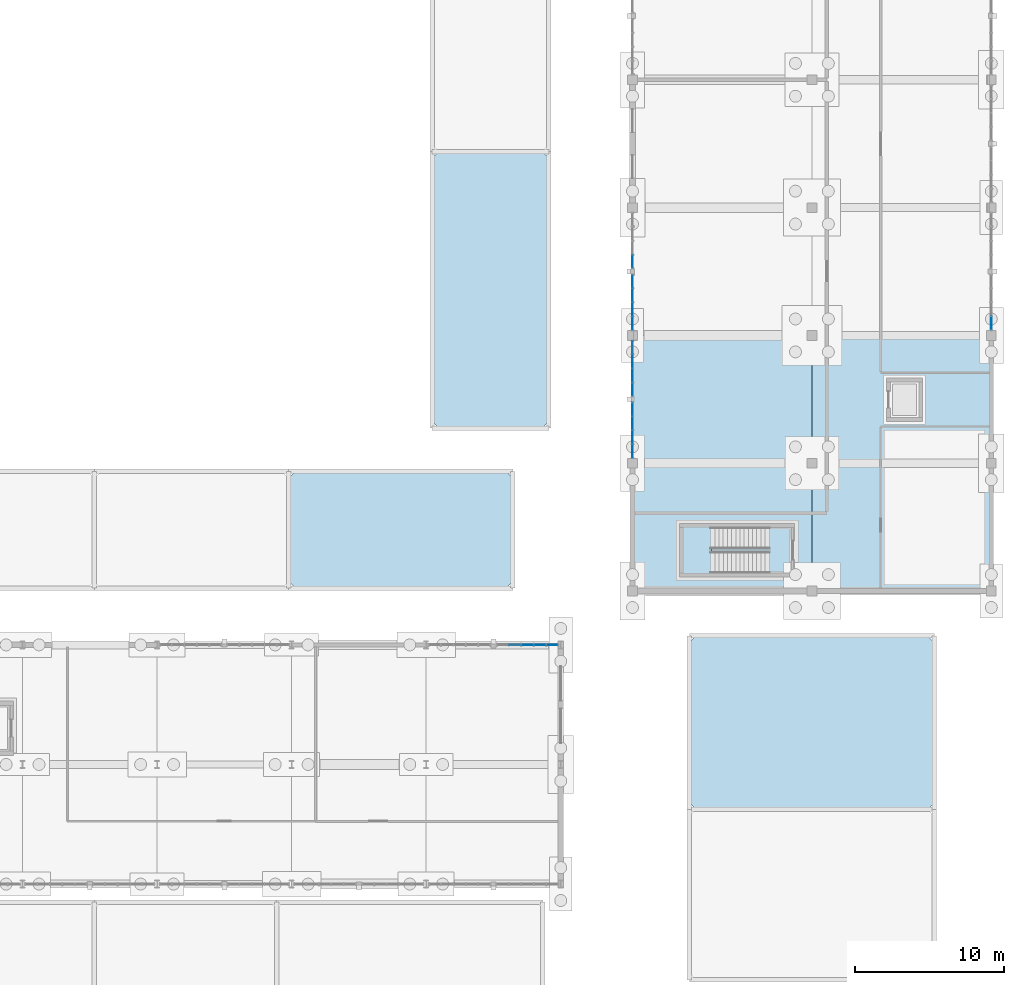
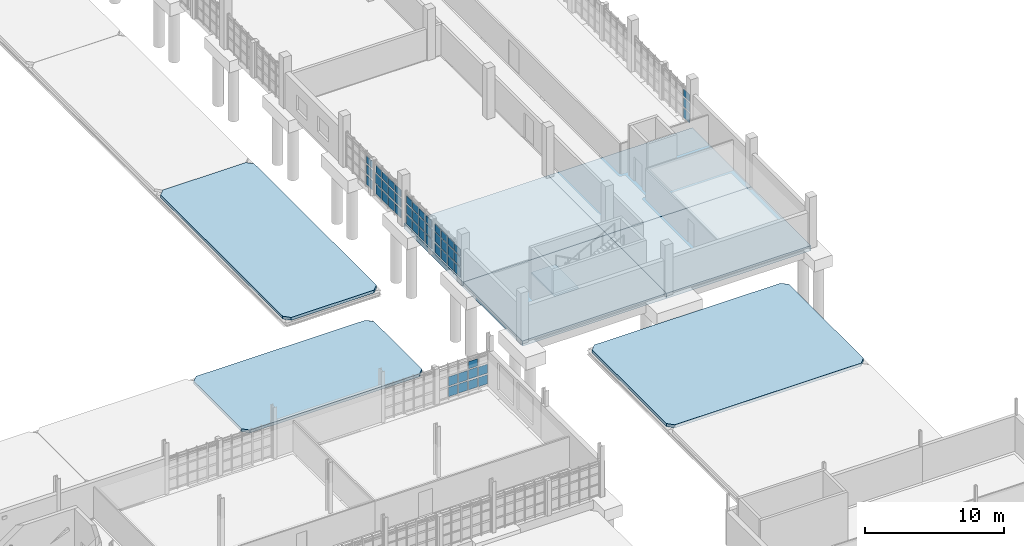
# One storey, part 90 of 125: 51 plates, 8 slabs, 7 elements without a shape of their own.
"""IFC4 building model written with IfcOpenShell, lengths in metres."""

from ifc_helpers import new_model, si_unit, direction, frame, origin, origin_2d, place, context, subcontext, project, spatial, polyline, rectangle, outline, extrude, material, layer, layer_set, type_object, element, aggregate, save


model = new_model("IFC4")

# Units and contexts
model_context = context("Model", 3, precision=1e-05, world=origin(), true_north=direction((0.0, 1.0)))
body_context = subcontext(model_context, "Body", "Model", "MODEL_VIEW")
ifc_project = project(units=[si_unit("LENGTHUNIT", "METRE"), si_unit("AREAUNIT", "SQUARE_METRE"), si_unit("VOLUMEUNIT", "CUBIC_METRE"), si_unit("PLANEANGLEUNIT", "RADIAN"), si_unit("MASSUNIT", "GRAM", prefix="KILO")], contexts=[model_context])

# Site, building, storey
site_placement = place(None, origin())
site = spatial("IfcSite", under=ifc_project, at=site_placement, CompositionType="ELEMENT")
building_placement = place(site_placement, origin())
building = spatial("IfcBuilding", under=site, at=building_placement, Name="Serraforn Aerial Cableway Station", CompositionType="ELEMENT")
storey_placement = place(building_placement, frame((0.0, 0.0, 4.5)))
storey = spatial("IfcBuildingStorey", under=building, at=storey_placement, Name="L01", CompositionType="ELEMENT", Elevation=4.5)

# Curtain wall, plate
ifc_material_1 = material(Name="Anodised bronze unitised curtain wall")
curtain_wall_type_1 = type_object("IfcCurtainWallType", Name="CW-SYS-3", PredefinedType="USERDEFINED", material=ifc_material_1)
curtain_wall_1_placement = place(storey_placement, origin())
curtain_wall_1 = element("IfcCurtainWall", 1, at=curtain_wall_1_placement, inside=storey, type_object=curtain_wall_type_1, Name="Unitised Curtain Wall CW-EG-L01-W2A", ObjectType="UNITISED CURTAIN WALL", PredefinedType="USERDEFINED")
ifc_material_2 = material(Name="Solar-control low-E double glazing", Category="glass")
ifc_layer_1 = layer(ifc_material_2, 0.02587890625)
ifc_layer_set_1 = layer_set([ifc_layer_1], Name="Solar-control low-E double glazing")
plate_type_1 = type_object("IfcPlateType", Name="CW-GLZ-1", PredefinedType="CURTAIN_PANEL", material=ifc_layer_set_1)
plate_1_placement = place(storey_placement, frame((144.0, 59.085205078125, 2.062255859375), z_axis=(0.0, 0.0, 1.0), x_axis=(1.0, 0.0, 0.0)))
plate_1 = element("IfcPlate", 2, at=plate_1_placement, type_object=plate_type_1, Name="Curtain Wall Panel CW-EG-L01-W2A-P4-3", PredefinedType="CURTAIN_PANEL", context=body_context, shape_type="SweptSolid", body=[
    extrude(rectangle(XDim=0.02587890625, YDim=0.8544921875, at=origin_2d()), origin(), (0.0, 0.0, 1.0), 0.6103515625),
])

# Curtain wall, plates
curtain_wall_type_2 = type_object("IfcCurtainWallType", Name="CW-SYS-4", PredefinedType="USERDEFINED", material=ifc_material_1)
curtain_wall_2_placement = place(storey_placement, origin())
curtain_wall_2 = element("IfcCurtainWall", 3, at=curtain_wall_2_placement, inside=storey, type_object=curtain_wall_type_2, Name="Unitised Curtain Wall CW-EG-L01-W2B", ObjectType="UNITISED CURTAIN WALL", PredefinedType="USERDEFINED")
plate_2_placement = place(storey_placement, frame((144.0, 55.882568359375, 2.062255859375), z_axis=(0.0, 0.0, 1.0), x_axis=(1.0, 0.0, 0.0)))
plate_2 = element("IfcPlate", 4, at=plate_2_placement, type_object=plate_type_1, Name="Curtain Wall Panel CW-EG-L01-W2B-P3-3", PredefinedType="CURTAIN_PANEL", context=body_context, shape_type="SweptSolid", body=[
    extrude(rectangle(XDim=0.02587890625, YDim=0.882080078125, at=origin_2d()), origin(), (0.0, 0.0, 1.0), 0.6103515625),
])
plate_3_placement = place(storey_placement, frame((144.0, 54.960693359375, 1.12646484375), z_axis=(0.0, 0.0, 1.0), x_axis=(1.0, 0.0, 0.0)))
plate_3 = element("IfcPlate", 5, at=plate_3_placement, type_object=plate_type_1, Name="Curtain Wall Panel CW-EG-L01-W2B-P4-2", PredefinedType="CURTAIN_PANEL", context=body_context, shape_type="SweptSolid", body=[
    extrude(rectangle(XDim=0.02587890625, YDim=0.859619140625, at=origin_2d()), origin(), (0.0, 0.0, 1.0), 0.797607421875),
])

# Curtain wall, plate
curtain_wall_type_3 = type_object("IfcCurtainWallType", Name="CW-SYS-5", PredefinedType="USERDEFINED", material=ifc_material_1)
curtain_wall_3_placement = place(storey_placement, origin())
curtain_wall_3 = element("IfcCurtainWall", 6, at=curtain_wall_3_placement, inside=storey, type_object=curtain_wall_type_3, Name="Unitised Curtain Wall CW-EG-L01-W3A", ObjectType="UNITISED CURTAIN WALL", PredefinedType="USERDEFINED")
plate_4_placement = place(storey_placement, frame((144.0, 67.64404296875, 0.1904296875), z_axis=(0.0, 0.0, 1.0), x_axis=(1.0, 0.0, 0.0)))
plate_4 = element("IfcPlate", 7, at=plate_4_placement, type_object=plate_type_1, Name="Curtain Wall Panel CW-EG-L01-W3A-P4-1", PredefinedType="CURTAIN_PANEL", context=body_context, shape_type="SweptSolid", body=[
    extrude(rectangle(XDim=0.02587890625, YDim=0.85205078125, at=origin_2d()), origin(), (0.0, 0.0, 1.0), 0.797607421875),
])

# Curtain wall, plates
curtain_wall_type_4 = type_object("IfcCurtainWallType", Name="CW-SYS-6", PredefinedType="USERDEFINED", material=ifc_material_1)
curtain_wall_4_placement = place(storey_placement, origin())
curtain_wall_4 = element("IfcCurtainWall", 8, at=curtain_wall_4_placement, inside=storey, type_object=curtain_wall_type_4, Name="Unitised Curtain Wall CW-EG-L01-W3B", ObjectType="UNITISED CURTAIN WALL", PredefinedType="USERDEFINED")
plate_5_placement = place(storey_placement, frame((144.0, 66.2998046875, 2.062255859375), z_axis=(0.0, 0.0, 1.0), x_axis=(1.0, 0.0, 0.0)))
plate_5 = element("IfcPlate", 9, at=plate_5_placement, type_object=plate_type_1, Name="Curtain Wall Panel CW-EG-L01-W3B-P1-3", PredefinedType="CURTAIN_PANEL", context=body_context, shape_type="SweptSolid", body=[
    extrude(rectangle(XDim=0.02587890625, YDim=0.844482421875, at=origin_2d()), origin(), (0.0, 0.0, 1.0), 0.6103515625),
])
plate_6_placement = place(storey_placement, frame((144.0, 65.381591796875, 1.12646484375), z_axis=(0.0, 0.0, 1.0), x_axis=(1.0, 0.0, 0.0)))
plate_6 = element("IfcPlate", 10, at=plate_6_placement, type_object=plate_type_1, Name="Curtain Wall Panel CW-EG-L01-W3B-P2-2", PredefinedType="CURTAIN_PANEL", context=body_context, shape_type="SweptSolid", body=[
    extrude(rectangle(XDim=0.02587890625, YDim=0.889404296875, at=origin_2d()), origin(), (0.0, 0.0, 1.0), 0.797607421875),
])
plate_7_placement = place(storey_placement, frame((144.0, 64.438720703125, 0.1904296875), z_axis=(0.0, 0.0, 1.0), x_axis=(1.0, 0.0, 0.0)))
plate_7 = element("IfcPlate", 11, at=plate_7_placement, type_object=plate_type_1, Name="Curtain Wall Panel CW-EG-L01-W3B-P3-1", PredefinedType="CURTAIN_PANEL", context=body_context, shape_type="SweptSolid", body=[
    extrude(rectangle(XDim=0.02587890625, YDim=0.884521484375, at=origin_2d()), origin(), (0.0, 0.0, 1.0), 0.797607421875),
])

# Curtain wall, plate
curtain_wall_type_5 = type_object("IfcCurtainWallType", Name="CW-SYS-7", PredefinedType="USERDEFINED", material=ifc_material_1)
curtain_wall_5_placement = place(storey_placement, origin())
curtain_wall_5 = element("IfcCurtainWall", 12, at=curtain_wall_5_placement, inside=storey, type_object=curtain_wall_type_5, Name="Unitised Curtain Wall CW-EG-L01-E3A", ObjectType="UNITISED CURTAIN WALL", PredefinedType="USERDEFINED")
plate_8_placement = place(storey_placement, frame((168.0, 63.507080078125, 1.12646484375), z_axis=(0.0, 0.0, 1.0), x_axis=(1.0, 0.0, 0.0)))
plate_8 = element("IfcPlate", 13, at=plate_8_placement, type_object=plate_type_1, Name="Curtain Wall Panel CW-EG-L01-E3A-P1-2", PredefinedType="CURTAIN_PANEL", context=body_context, shape_type="SweptSolid", body=[
    extrude(rectangle(XDim=0.02587890625, YDim=0.862060546875, at=origin_2d()), origin(), (0.0, 0.0, 1.0), 0.797607421875),
])

curtain_wall_type_6 = type_object("IfcCurtainWallType", Name="CW-SYS-21", PredefinedType="USERDEFINED", material=ifc_material_1)
curtain_wall_6_placement = place(storey_placement, origin())
curtain_wall_6 = element("IfcCurtainWall", 14, at=curtain_wall_6_placement, inside=storey, type_object=curtain_wall_type_6, Name="Unitised Curtain Wall CW-EL-L01-N5A", ObjectType="UNITISED CURTAIN WALL", PredefinedType="USERDEFINED")
ifc_layer_2 = layer(ifc_material_2, 0.028076171875)
ifc_layer_set_2 = layer_set([ifc_layer_2], Name="Solar-control low-E double glazing")
plate_type_2 = type_object("IfcPlateType", Name="CW-GLZ-2", PredefinedType="CURTAIN_PANEL", material=ifc_layer_set_2)
plate_9_placement = place(storey_placement, frame((138.62109375, 42.0, 0.1904296875), z_axis=(0.0, 0.0, 1.0), x_axis=(1.0, 0.0, 0.0)))
plate_9 = element("IfcPlate", 15, at=plate_9_placement, type_object=plate_type_2, Name="Curtain Wall Panel CW-EL-L01-N5A-P1-1", PredefinedType="CURTAIN_PANEL", context=body_context, shape_type="SweptSolid", body=[
    extrude(rectangle(XDim=0.745849609375, YDim=0.028076171875, at=origin_2d()), origin(), (0.0, 0.0, 1.0), 0.797607421875),
])

# Plate
plate_10_placement = place(storey_placement, frame((144.0, 54.960693359375, 2.06982421875), z_axis=(0.0, 0.0, 1.0), x_axis=(1.0, 0.0, 0.0)))
plate_10 = element("IfcPlate", 16, at=plate_10_placement, type_object=plate_type_2, Name="Curtain Wall Panel CW-EG-L01-W2B-P4-3", PredefinedType="CURTAIN_PANEL", context=body_context, shape_type="SweptSolid", body=[
    extrude(rectangle(XDim=0.028076171875, YDim=0.859619140625, at=origin_2d()), origin(), (0.0, 0.0, 1.0), 0.59521484375),
])

plate_11_placement = place(storey_placement, frame((144.0, 67.64404296875, 1.1337890625), z_axis=(0.0, 0.0, 1.0), x_axis=(1.0, 0.0, 0.0)))
plate_11 = element("IfcPlate", 17, at=plate_11_placement, type_object=plate_type_2, Name="Curtain Wall Panel CW-EG-L01-W3A-P4-2", PredefinedType="CURTAIN_PANEL", context=body_context, shape_type="SweptSolid", body=[
    extrude(rectangle(XDim=0.028076171875, YDim=0.85205078125, at=origin_2d()), origin(), (0.0, 0.0, 1.0), 0.782470703125),
])

plate_12_placement = place(storey_placement, frame((144.0, 65.381591796875, 2.06982421875), z_axis=(0.0, 0.0, 1.0), x_axis=(1.0, 0.0, 0.0)))
plate_12 = element("IfcPlate", 18, at=plate_12_placement, type_object=plate_type_2, Name="Curtain Wall Panel CW-EG-L01-W3B-P2-3", PredefinedType="CURTAIN_PANEL", context=body_context, shape_type="SweptSolid", body=[
    extrude(rectangle(XDim=0.028076171875, YDim=0.889404296875, at=origin_2d()), origin(), (0.0, 0.0, 1.0), 0.59521484375),
])

plate_13_placement = place(storey_placement, frame((144.0, 64.438720703125, 1.1337890625), z_axis=(0.0, 0.0, 1.0), x_axis=(1.0, 0.0, 0.0)))
plate_13 = element("IfcPlate", 19, at=plate_13_placement, type_object=plate_type_2, Name="Curtain Wall Panel CW-EG-L01-W3B-P3-2", PredefinedType="CURTAIN_PANEL", context=body_context, shape_type="SweptSolid", body=[
    extrude(rectangle(XDim=0.028076171875, YDim=0.884521484375, at=origin_2d()), origin(), (0.0, 0.0, 1.0), 0.782470703125),
])

plate_14_placement = place(storey_placement, frame((144.0, 63.51318359375, 0.19775390625), z_axis=(0.0, 0.0, 1.0), x_axis=(1.0, 0.0, 0.0)))
plate_14 = element("IfcPlate", 20, at=plate_14_placement, type_object=plate_type_2, Name="Curtain Wall Panel CW-EG-L01-W3B-P4-1", PredefinedType="CURTAIN_PANEL", context=body_context, shape_type="SweptSolid", body=[
    extrude(rectangle(XDim=0.028076171875, YDim=0.844482421875, at=origin_2d()), origin(), (0.0, 0.0, 1.0), 0.782470703125),
])

plate_15_placement = place(storey_placement, frame((168.0, 63.507080078125, 2.06982421875), z_axis=(0.0, 0.0, 1.0), x_axis=(1.0, 0.0, 0.0)))
plate_15 = element("IfcPlate", 21, at=plate_15_placement, type_object=plate_type_2, Name="Curtain Wall Panel CW-EG-L01-E3A-P1-3", PredefinedType="CURTAIN_PANEL", context=body_context, shape_type="SweptSolid", body=[
    extrude(rectangle(XDim=0.028076171875, YDim=0.862060546875, at=origin_2d()), origin(), (0.0, 0.0, 1.0), 0.59521484375),
])

ifc_layer_3 = layer(ifc_material_2, 0.030029296875)
ifc_layer_set_3 = layer_set([ifc_layer_3], Name="Solar-control low-E double glazing")
plate_type_3 = type_object("IfcPlateType", Name="CW-GLZ-3", PredefinedType="CURTAIN_PANEL", material=ifc_layer_set_3)
plate_16_placement = place(storey_placement, frame((138.62109375, 42.0, 1.1337890625), z_axis=(0.0, 0.0, 1.0), x_axis=(1.0, 0.0, 0.0)))
plate_16 = element("IfcPlate", 22, at=plate_16_placement, type_object=plate_type_3, Name="Curtain Wall Panel CW-EL-L01-N5A-P1-2", PredefinedType="CURTAIN_PANEL", context=body_context, shape_type="SweptSolid", body=[
    extrude(rectangle(XDim=0.745849609375, YDim=0.030029296875, at=origin_2d()), origin(), (0.0, 0.0, 1.0), 0.782470703125),
])

plate_17_placement = place(storey_placement, frame((137.801513671875, 42.0, 0.19775390625), z_axis=(0.0, 0.0, 1.0), x_axis=(1.0, 0.0, 0.0)))
plate_17 = element("IfcPlate", 23, at=plate_17_placement, type_object=plate_type_3, Name="Curtain Wall Panel CW-EL-L01-N5A-P2-1", PredefinedType="CURTAIN_PANEL", context=body_context, shape_type="SweptSolid", body=[
    extrude(rectangle(XDim=0.77099609375, YDim=0.030029296875, at=origin_2d()), origin(), (0.0, 0.0, 1.0), 0.782470703125),
])

plate_18_placement = place(storey_placement, frame((144.0, 67.64404296875, 2.077392578125), z_axis=(0.0, 0.0, 1.0), x_axis=(1.0, 0.0, 0.0)))
plate_18 = element("IfcPlate", 24, at=plate_18_placement, type_object=plate_type_3, Name="Curtain Wall Panel CW-EG-L01-W3A-P4-3", PredefinedType="CURTAIN_PANEL", context=body_context, shape_type="SweptSolid", body=[
    extrude(rectangle(XDim=0.030029296875, YDim=0.85205078125, at=origin_2d()), origin(), (0.0, 0.0, 1.0), 0.615234375),
])

aggregate(curtain_wall_3, [plate_4, plate_11, plate_18])

plate_19_placement = place(storey_placement, frame((144.0, 64.438720703125, 2.077392578125), z_axis=(0.0, 0.0, 1.0), x_axis=(1.0, 0.0, 0.0)))
plate_19 = element("IfcPlate", 25, at=plate_19_placement, type_object=plate_type_3, Name="Curtain Wall Panel CW-EG-L01-W3B-P3-3", PredefinedType="CURTAIN_PANEL", context=body_context, shape_type="SweptSolid", body=[
    extrude(rectangle(XDim=0.030029296875, YDim=0.884521484375, at=origin_2d()), origin(), (0.0, 0.0, 1.0), 0.615234375),
])

plate_20_placement = place(storey_placement, frame((144.0, 63.51318359375, 1.14111328125), z_axis=(0.0, 0.0, 1.0), x_axis=(1.0, 0.0, 0.0)))
plate_20 = element("IfcPlate", 26, at=plate_20_placement, type_object=plate_type_3, Name="Curtain Wall Panel CW-EG-L01-W3B-P4-2", PredefinedType="CURTAIN_PANEL", context=body_context, shape_type="SweptSolid", body=[
    extrude(rectangle(XDim=0.030029296875, YDim=0.844482421875, at=origin_2d()), origin(), (0.0, 0.0, 1.0), 0.802490234375),
])

ifc_layer_4 = layer(ifc_material_2, 0.031982421875)
ifc_layer_set_4 = layer_set([ifc_layer_4], Name="Solar-control low-E double glazing")
plate_type_4 = type_object("IfcPlateType", Name="CW-GLZ-4", PredefinedType="CURTAIN_PANEL", material=ifc_layer_set_4)
plate_21_placement = place(storey_placement, frame((137.801513671875, 42.0, 1.14111328125), z_axis=(0.0, 0.0, 1.0), x_axis=(1.0, 0.0, 0.0)))
plate_21 = element("IfcPlate", 27, at=plate_21_placement, type_object=plate_type_4, Name="Curtain Wall Panel CW-EL-L01-N5A-P2-2", PredefinedType="CURTAIN_PANEL", context=body_context, shape_type="SweptSolid", body=[
    extrude(rectangle(XDim=0.77099609375, YDim=0.031982421875, at=origin_2d()), origin(), (0.0, 0.0, 1.0), 0.802490234375),
])

plate_22_placement = place(storey_placement, frame((136.96728515625, 42.0, 0.20556640625), z_axis=(0.0, 0.0, 1.0), x_axis=(1.0, 0.0, 0.0)))
plate_22 = element("IfcPlate", 28, at=plate_22_placement, type_object=plate_type_4, Name="Curtain Wall Panel CW-EL-L01-N5A-P3-1", PredefinedType="CURTAIN_PANEL", context=body_context, shape_type="SweptSolid", body=[
    extrude(rectangle(XDim=0.765869140625, YDim=0.031982421875, at=origin_2d()), origin(), (0.0, 0.0, 1.0), 0.802490234375),
])

plate_23_placement = place(storey_placement, frame((144.0, 61.891845703125, 0.1904296875), z_axis=(0.0, 0.0, 1.0), x_axis=(1.0, 0.0, 0.0)))
plate_23 = element("IfcPlate", 29, at=plate_23_placement, type_object=plate_type_4, Name="Curtain Wall Panel CW-EG-L01-W2A-P1-1", PredefinedType="CURTAIN_PANEL", context=body_context, shape_type="SweptSolid", body=[
    extrude(rectangle(XDim=0.031982421875, YDim=0.8544921875, at=origin_2d()), origin(), (0.0, 0.0, 1.0), 0.797607421875),
])

plate_24_placement = place(storey_placement, frame((144.0, 63.51318359375, 2.0498046875), z_axis=(0.0, 0.0, 1.0), x_axis=(1.0, 0.0, 0.0)))
plate_24 = element("IfcPlate", 30, at=plate_24_placement, type_object=plate_type_4, Name="Curtain Wall Panel CW-EG-L01-W3B-P4-3", PredefinedType="CURTAIN_PANEL", context=body_context, shape_type="SweptSolid", body=[
    extrude(rectangle(XDim=0.031982421875, YDim=0.844482421875, at=origin_2d()), origin(), (0.0, 0.0, 1.0), 0.6376953125),
])

ifc_layer_5 = layer(ifc_material_2, 0.033935546875)
ifc_layer_set_5 = layer_set([ifc_layer_5], Name="Solar-control low-E double glazing")
plate_type_5 = type_object("IfcPlateType", Name="CW-GLZ-5", PredefinedType="CURTAIN_PANEL", material=ifc_layer_set_5)
plate_25_placement = place(storey_placement, frame((137.801513671875, 42.0, 2.0498046875), z_axis=(0.0, 0.0, 1.0), x_axis=(1.0, 0.0, 0.0)))
plate_25 = element("IfcPlate", 31, at=plate_25_placement, type_object=plate_type_5, Name="Curtain Wall Panel CW-EL-L01-N5A-P2-3", PredefinedType="CURTAIN_PANEL", context=body_context, shape_type="SweptSolid", body=[
    extrude(rectangle(XDim=0.77099609375, YDim=0.033935546875, at=origin_2d()), origin(), (0.0, 0.0, 1.0), 0.6376953125),
])

plate_26_placement = place(storey_placement, frame((136.96728515625, 42.0, 1.11376953125), z_axis=(0.0, 0.0, 1.0), x_axis=(1.0, 0.0, 0.0)))
plate_26 = element("IfcPlate", 32, at=plate_26_placement, type_object=plate_type_5, Name="Curtain Wall Panel CW-EL-L01-N5A-P3-2", PredefinedType="CURTAIN_PANEL", context=body_context, shape_type="SweptSolid", body=[
    extrude(rectangle(XDim=0.765869140625, YDim=0.033935546875, at=origin_2d()), origin(), (0.0, 0.0, 1.0), 0.824951171875),
])

plate_27_placement = place(storey_placement, frame((136.126708984375, 42.0, 0.177734375), z_axis=(0.0, 0.0, 1.0), x_axis=(1.0, 0.0, 0.0)))
plate_27 = element("IfcPlate", 33, at=plate_27_placement, type_object=plate_type_5, Name="Curtain Wall Panel CW-EL-L01-N5A-P4-1", PredefinedType="CURTAIN_PANEL", context=body_context, shape_type="SweptSolid", body=[
    extrude(rectangle(XDim=0.7734375, YDim=0.033935546875, at=origin_2d()), origin(), (0.0, 0.0, 1.0), 0.824951171875),
])

plate_28_placement = place(storey_placement, frame((144.0, 61.891845703125, 1.1337890625), z_axis=(0.0, 0.0, 1.0), x_axis=(1.0, 0.0, 0.0)))
plate_28 = element("IfcPlate", 34, at=plate_28_placement, type_object=plate_type_5, Name="Curtain Wall Panel CW-EG-L01-W2A-P1-2", PredefinedType="CURTAIN_PANEL", context=body_context, shape_type="SweptSolid", body=[
    extrude(rectangle(XDim=0.033935546875, YDim=0.8544921875, at=origin_2d()), origin(), (0.0, 0.0, 1.0), 0.782470703125),
])

plate_29_placement = place(storey_placement, frame((144.0, 60.963623046875, 0.19775390625), z_axis=(0.0, 0.0, 1.0), x_axis=(1.0, 0.0, 0.0)))
plate_29 = element("IfcPlate", 35, at=plate_29_placement, type_object=plate_type_5, Name="Curtain Wall Panel CW-EG-L01-W2A-P2-1", PredefinedType="CURTAIN_PANEL", context=body_context, shape_type="SweptSolid", body=[
    extrude(rectangle(XDim=0.033935546875, YDim=0.87939453125, at=origin_2d()), origin(), (0.0, 0.0, 1.0), 0.782470703125),
])

plate_30_placement = place(storey_placement, frame((144.0, 57.758544921875, 0.19775390625), z_axis=(0.0, 0.0, 1.0), x_axis=(1.0, 0.0, 0.0)))
plate_30 = element("IfcPlate", 36, at=plate_30_placement, type_object=plate_type_5, Name="Curtain Wall Panel CW-EG-L01-W2B-P1-1", PredefinedType="CURTAIN_PANEL", context=body_context, shape_type="SweptSolid", body=[
    extrude(rectangle(XDim=0.033935546875, YDim=0.846923828125, at=origin_2d()), origin(), (0.0, 0.0, 1.0), 0.782470703125),
])

ifc_layer_6 = layer(ifc_material_2, 0.035888671875)
ifc_layer_set_6 = layer_set([ifc_layer_6], Name="Solar-control low-E double glazing")
plate_type_6 = type_object("IfcPlateType", Name="CW-GLZ-6", PredefinedType="CURTAIN_PANEL", material=ifc_layer_set_6)
plate_31_placement = place(storey_placement, frame((136.126708984375, 42.0, 1.118896484375), z_axis=(0.0, 0.0, 1.0), x_axis=(1.0, 0.0, 0.0)))
plate_31 = element("IfcPlate", 37, at=plate_31_placement, type_object=plate_type_6, Name="Curtain Wall Panel CW-EL-L01-N5A-P4-2", PredefinedType="CURTAIN_PANEL", context=body_context, shape_type="SweptSolid", body=[
    extrude(rectangle(XDim=0.7734375, YDim=0.035888671875, at=origin_2d()), origin(), (0.0, 0.0, 1.0), 0.8125),
])

aggregate(curtain_wall_6, [plate_9, plate_16, plate_17, plate_21, plate_25, plate_22, plate_26, plate_27, plate_31])

plate_32_placement = place(storey_placement, frame((144.0, 61.891845703125, 2.077392578125), z_axis=(0.0, 0.0, 1.0), x_axis=(1.0, 0.0, 0.0)))
plate_32 = element("IfcPlate", 38, at=plate_32_placement, type_object=plate_type_6, Name="Curtain Wall Panel CW-EG-L01-W2A-P1-3", PredefinedType="CURTAIN_PANEL", context=body_context, shape_type="SweptSolid", body=[
    extrude(rectangle(XDim=0.035888671875, YDim=0.8544921875, at=origin_2d()), origin(), (0.0, 0.0, 1.0), 0.615234375),
])

plate_33_placement = place(storey_placement, frame((144.0, 60.963623046875, 1.14111328125), z_axis=(0.0, 0.0, 1.0), x_axis=(1.0, 0.0, 0.0)))
plate_33 = element("IfcPlate", 39, at=plate_33_placement, type_object=plate_type_6, Name="Curtain Wall Panel CW-EG-L01-W2A-P2-2", PredefinedType="CURTAIN_PANEL", context=body_context, shape_type="SweptSolid", body=[
    extrude(rectangle(XDim=0.035888671875, YDim=0.87939453125, at=origin_2d()), origin(), (0.0, 0.0, 1.0), 0.802490234375),
])

plate_34_placement = place(storey_placement, frame((144.0, 60.020751953125, 0.20556640625), z_axis=(0.0, 0.0, 1.0), x_axis=(1.0, 0.0, 0.0)))
plate_34 = element("IfcPlate", 40, at=plate_34_placement, type_object=plate_type_6, Name="Curtain Wall Panel CW-EG-L01-W2A-P3-1", PredefinedType="CURTAIN_PANEL", context=body_context, shape_type="SweptSolid", body=[
    extrude(rectangle(XDim=0.035888671875, YDim=0.87451171875, at=origin_2d()), origin(), (0.0, 0.0, 1.0), 0.802490234375),
])

plate_35_placement = place(storey_placement, frame((144.0, 57.758544921875, 1.14111328125), z_axis=(0.0, 0.0, 1.0), x_axis=(1.0, 0.0, 0.0)))
plate_35 = element("IfcPlate", 41, at=plate_35_placement, type_object=plate_type_6, Name="Curtain Wall Panel CW-EG-L01-W2B-P1-2", PredefinedType="CURTAIN_PANEL", context=body_context, shape_type="SweptSolid", body=[
    extrude(rectangle(XDim=0.035888671875, YDim=0.846923828125, at=origin_2d()), origin(), (0.0, 0.0, 1.0), 0.802490234375),
])

plate_36_placement = place(storey_placement, frame((144.0, 56.831787109375, 0.20556640625), z_axis=(0.0, 0.0, 1.0), x_axis=(1.0, 0.0, 0.0)))
plate_36 = element("IfcPlate", 42, at=plate_36_placement, type_object=plate_type_6, Name="Curtain Wall Panel CW-EG-L01-W2B-P2-1", PredefinedType="CURTAIN_PANEL", context=body_context, shape_type="SweptSolid", body=[
    extrude(rectangle(XDim=0.035888671875, YDim=0.87451171875, at=origin_2d()), origin(), (0.0, 0.0, 1.0), 0.802490234375),
])

ifc_layer_7 = layer(ifc_material_2, 0.029052734375)
ifc_layer_set_7 = layer_set([ifc_layer_7], Name="Solar-control low-E double glazing")
plate_type_7 = type_object("IfcPlateType", Name="CW-GLZ-7", PredefinedType="CURTAIN_PANEL", material=ifc_layer_set_7)
plate_37_placement = place(storey_placement, frame((144.0, 60.963623046875, 2.0498046875), z_axis=(0.0, 0.0, 1.0), x_axis=(1.0, 0.0, 0.0)))
plate_37 = element("IfcPlate", 43, at=plate_37_placement, type_object=plate_type_7, Name="Curtain Wall Panel CW-EG-L01-W2A-P2-3", PredefinedType="CURTAIN_PANEL", context=body_context, shape_type="SweptSolid", body=[
    extrude(rectangle(XDim=0.029052734375, YDim=0.87939453125, at=origin_2d()), origin(), (0.0, 0.0, 1.0), 0.6376953125),
])

plate_38_placement = place(storey_placement, frame((144.0, 60.020751953125, 1.11376953125), z_axis=(0.0, 0.0, 1.0), x_axis=(1.0, 0.0, 0.0)))
plate_38 = element("IfcPlate", 44, at=plate_38_placement, type_object=plate_type_7, Name="Curtain Wall Panel CW-EG-L01-W2A-P3-2", PredefinedType="CURTAIN_PANEL", context=body_context, shape_type="SweptSolid", body=[
    extrude(rectangle(XDim=0.029052734375, YDim=0.87451171875, at=origin_2d()), origin(), (0.0, 0.0, 1.0), 0.824951171875),
])

plate_39_placement = place(storey_placement, frame((144.0, 59.085205078125, 0.177734375), z_axis=(0.0, 0.0, 1.0), x_axis=(1.0, 0.0, 0.0)))
plate_39 = element("IfcPlate", 45, at=plate_39_placement, type_object=plate_type_7, Name="Curtain Wall Panel CW-EG-L01-W2A-P4-1", PredefinedType="CURTAIN_PANEL", context=body_context, shape_type="SweptSolid", body=[
    extrude(rectangle(XDim=0.029052734375, YDim=0.8544921875, at=origin_2d()), origin(), (0.0, 0.0, 1.0), 0.824951171875),
])

plate_40_placement = place(storey_placement, frame((144.0, 57.758544921875, 2.0498046875), z_axis=(0.0, 0.0, 1.0), x_axis=(1.0, 0.0, 0.0)))
plate_40 = element("IfcPlate", 46, at=plate_40_placement, type_object=plate_type_7, Name="Curtain Wall Panel CW-EG-L01-W2B-P1-3", PredefinedType="CURTAIN_PANEL", context=body_context, shape_type="SweptSolid", body=[
    extrude(rectangle(XDim=0.029052734375, YDim=0.846923828125, at=origin_2d()), origin(), (0.0, 0.0, 1.0), 0.6376953125),
])

plate_41_placement = place(storey_placement, frame((144.0, 56.831787109375, 1.11376953125), z_axis=(0.0, 0.0, 1.0), x_axis=(1.0, 0.0, 0.0)))
plate_41 = element("IfcPlate", 47, at=plate_41_placement, type_object=plate_type_7, Name="Curtain Wall Panel CW-EG-L01-W2B-P2-2", PredefinedType="CURTAIN_PANEL", context=body_context, shape_type="SweptSolid", body=[
    extrude(rectangle(XDim=0.029052734375, YDim=0.87451171875, at=origin_2d()), origin(), (0.0, 0.0, 1.0), 0.824951171875),
])

plate_42_placement = place(storey_placement, frame((144.0, 55.882568359375, 0.177734375), z_axis=(0.0, 0.0, 1.0), x_axis=(1.0, 0.0, 0.0)))
plate_42 = element("IfcPlate", 48, at=plate_42_placement, type_object=plate_type_7, Name="Curtain Wall Panel CW-EG-L01-W2B-P3-1", PredefinedType="CURTAIN_PANEL", context=body_context, shape_type="SweptSolid", body=[
    extrude(rectangle(XDim=0.029052734375, YDim=0.882080078125, at=origin_2d()), origin(), (0.0, 0.0, 1.0), 0.824951171875),
])

plate_43_placement = place(storey_placement, frame((144.0, 66.2998046875, 0.177734375), z_axis=(0.0, 0.0, 1.0), x_axis=(1.0, 0.0, 0.0)))
plate_43 = element("IfcPlate", 49, at=plate_43_placement, type_object=plate_type_7, Name="Curtain Wall Panel CW-EG-L01-W3B-P1-1", PredefinedType="CURTAIN_PANEL", context=body_context, shape_type="SweptSolid", body=[
    extrude(rectangle(XDim=0.029052734375, YDim=0.844482421875, at=origin_2d()), origin(), (0.0, 0.0, 1.0), 0.824951171875),
])

ifc_layer_8 = layer(ifc_material_2, 0.031005859375)
ifc_layer_set_8 = layer_set([ifc_layer_8], Name="Solar-control low-E double glazing")
plate_type_8 = type_object("IfcPlateType", Name="CW-GLZ-8", PredefinedType="CURTAIN_PANEL", material=ifc_layer_set_8)
plate_44_placement = place(storey_placement, frame((144.0, 60.020751953125, 2.0546875), z_axis=(0.0, 0.0, 1.0), x_axis=(1.0, 0.0, 0.0)))
plate_44 = element("IfcPlate", 50, at=plate_44_placement, type_object=plate_type_8, Name="Curtain Wall Panel CW-EG-L01-W2A-P3-3", PredefinedType="CURTAIN_PANEL", context=body_context, shape_type="SweptSolid", body=[
    extrude(rectangle(XDim=0.031005859375, YDim=0.87451171875, at=origin_2d()), origin(), (0.0, 0.0, 1.0), 0.625244140625),
])

plate_45_placement = place(storey_placement, frame((144.0, 59.085205078125, 1.118896484375), z_axis=(0.0, 0.0, 1.0), x_axis=(1.0, 0.0, 0.0)))
plate_45 = element("IfcPlate", 51, at=plate_45_placement, type_object=plate_type_8, Name="Curtain Wall Panel CW-EG-L01-W2A-P4-2", PredefinedType="CURTAIN_PANEL", context=body_context, shape_type="SweptSolid", body=[
    extrude(rectangle(XDim=0.031005859375, YDim=0.8544921875, at=origin_2d()), origin(), (0.0, 0.0, 1.0), 0.8125),
])

aggregate(curtain_wall_1, [plate_23, plate_28, plate_32, plate_29, plate_33, plate_37, plate_34, plate_38, plate_44, plate_39, plate_45, plate_1])

plate_46_placement = place(storey_placement, frame((144.0, 56.831787109375, 2.0546875), z_axis=(0.0, 0.0, 1.0), x_axis=(1.0, 0.0, 0.0)))
plate_46 = element("IfcPlate", 52, at=plate_46_placement, type_object=plate_type_8, Name="Curtain Wall Panel CW-EG-L01-W2B-P2-3", PredefinedType="CURTAIN_PANEL", context=body_context, shape_type="SweptSolid", body=[
    extrude(rectangle(XDim=0.031005859375, YDim=0.87451171875, at=origin_2d()), origin(), (0.0, 0.0, 1.0), 0.625244140625),
])

plate_47_placement = place(storey_placement, frame((144.0, 55.882568359375, 1.118896484375), z_axis=(0.0, 0.0, 1.0), x_axis=(1.0, 0.0, 0.0)))
plate_47 = element("IfcPlate", 53, at=plate_47_placement, type_object=plate_type_8, Name="Curtain Wall Panel CW-EG-L01-W2B-P3-2", PredefinedType="CURTAIN_PANEL", context=body_context, shape_type="SweptSolid", body=[
    extrude(rectangle(XDim=0.031005859375, YDim=0.882080078125, at=origin_2d()), origin(), (0.0, 0.0, 1.0), 0.8125),
])

plate_48_placement = place(storey_placement, frame((144.0, 54.960693359375, 0.182861328125), z_axis=(0.0, 0.0, 1.0), x_axis=(1.0, 0.0, 0.0)))
plate_48 = element("IfcPlate", 54, at=plate_48_placement, type_object=plate_type_8, Name="Curtain Wall Panel CW-EG-L01-W2B-P4-1", PredefinedType="CURTAIN_PANEL", context=body_context, shape_type="SweptSolid", body=[
    extrude(rectangle(XDim=0.031005859375, YDim=0.859619140625, at=origin_2d()), origin(), (0.0, 0.0, 1.0), 0.8125),
])

aggregate(curtain_wall_2, [plate_30, plate_35, plate_40, plate_36, plate_41, plate_46, plate_42, plate_47, plate_2, plate_48, plate_3, plate_10])

plate_49_placement = place(storey_placement, frame((144.0, 66.2998046875, 1.118896484375), z_axis=(0.0, 0.0, 1.0), x_axis=(1.0, 0.0, 0.0)))
plate_49 = element("IfcPlate", 55, at=plate_49_placement, type_object=plate_type_8, Name="Curtain Wall Panel CW-EG-L01-W3B-P1-2", PredefinedType="CURTAIN_PANEL", context=body_context, shape_type="SweptSolid", body=[
    extrude(rectangle(XDim=0.031005859375, YDim=0.844482421875, at=origin_2d()), origin(), (0.0, 0.0, 1.0), 0.8125),
])

plate_50_placement = place(storey_placement, frame((144.0, 65.381591796875, 0.182861328125), z_axis=(0.0, 0.0, 1.0), x_axis=(1.0, 0.0, 0.0)))
plate_50 = element("IfcPlate", 56, at=plate_50_placement, type_object=plate_type_8, Name="Curtain Wall Panel CW-EG-L01-W3B-P2-1", PredefinedType="CURTAIN_PANEL", context=body_context, shape_type="SweptSolid", body=[
    extrude(rectangle(XDim=0.031005859375, YDim=0.889404296875, at=origin_2d()), origin(), (0.0, 0.0, 1.0), 0.8125),
])

aggregate(curtain_wall_4, [plate_43, plate_49, plate_5, plate_50, plate_6, plate_12, plate_7, plate_13, plate_19, plate_14, plate_20, plate_24])

plate_51_placement = place(storey_placement, frame((168.0, 63.507080078125, 0.182861328125), z_axis=(0.0, 0.0, 1.0), x_axis=(1.0, 0.0, 0.0)))
plate_51 = element("IfcPlate", 57, at=plate_51_placement, type_object=plate_type_8, Name="Curtain Wall Panel CW-EG-L01-E3A-P1-1", PredefinedType="CURTAIN_PANEL", context=body_context, shape_type="SweptSolid", body=[
    extrude(rectangle(XDim=0.031005859375, YDim=0.862060546875, at=origin_2d()), origin(), (0.0, 0.0, 1.0), 0.8125),
])

aggregate(curtain_wall_5, [plate_51, plate_8, plate_15])

# Slabs
ifc_material_3 = material(Name="Concrete C35/45", Category="concrete")
ifc_layer_9 = layer(ifc_material_3, 0.27001953125)
ifc_layer_set_9 = layer_set([ifc_layer_9], Name="Concrete C35/45")
slab_type_1 = type_object("IfcSlabType", Name="SLB-ARC-270", PredefinedType="ROOF", material=ifc_layer_set_9)
slab_1_placement = place(storey_placement, frame((0.0, 0.0, -0.27001953125)))
element("IfcSlab", 58, at=slab_1_placement, inside=storey, type_object=slab_type_1, Name="Colonnade Canopy Roof EF-1-2", PredefinedType="ROOF", context=body_context, shape_type="SweptSolid", body=[
    extrude(outline(polyline([(148.25, 31.0), (163.75, 31.0), (164.199951171875, 31.449951171875), (164.199951171875, 42.14990234375), (163.75, 42.60009765625), (148.25, 42.60009765625), (147.800048828125, 42.14990234375), (147.800048828125, 31.449951171875), (148.25, 31.0)])), origin(), (0.0, 0.0, 1.0), 0.27001953125),
])
ifc_material_4 = material(Name="Concrete C40/50", Category="concrete")
ifc_layer_10 = layer(ifc_material_4, 0.449951171875)
ifc_layer_set_10 = layer_set([ifc_layer_10], Name="Concrete C40/50")
slab_type_2 = type_object("IfcSlabType", Name="SLB-BASE-450", PredefinedType="BASESLAB", material=ifc_layer_set_10)
slab_2_placement = place(storey_placement, frame((0.0, 0.0, -0.449951171875)))
element("IfcSlab", 59, at=slab_2_placement, inside=storey, type_object=slab_type_2, Name="Floor Slab EG-L01-1-1", PredefinedType="BASESLAB", context=body_context, shape_type="SweptSolid", body=[
    extrude(outline(polyline([(144.0, 45.60009765625), (156.0, 45.60009765625), (156.0, 54.14990234375), (144.0, 54.14990234375), (144.0, 45.60009765625)])), origin(), (0.0, 0.0, 1.0), 0.449951171875),
])
slab_3_placement = place(storey_placement, frame((0.0, 0.0, -0.449951171875)))
element("IfcSlab", 60, at=slab_3_placement, inside=storey, type_object=slab_type_2, Name="Floor Slab EG-L01-1-2", PredefinedType="BASESLAB", context=body_context, shape_type="SweptSolid", body=[
    extrude(outline(polyline([(144.0, 54.14990234375), (156.0, 54.14990234375), (156.0, 62.699951171875), (144.0, 62.699951171875), (144.0, 54.14990234375)])), origin(), (0.0, 0.0, 1.0), 0.449951171875),
])
slab_4_placement = place(storey_placement, frame((0.0, 0.0, -0.449951171875)))
element("IfcSlab", 61, at=slab_4_placement, inside=storey, type_object=slab_type_2, Name="Floor Slab EG-L01-2-1", PredefinedType="BASESLAB", context=body_context, shape_type="SweptSolid", body=[
    extrude(outline(polyline([(156.0, 45.60009765625), (168.0, 45.60009765625), (168.0, 54.14990234375), (156.0, 54.14990234375), (156.0, 45.60009765625)])), origin(), (0.0, 0.0, 1.0), 0.449951171875),
])
slab_5_placement = place(storey_placement, frame((0.0, 0.0, -0.449951171875)))
element("IfcSlab", 62, at=slab_5_placement, inside=storey, type_object=slab_type_2, Name="Floor Slab EG-L01-2-2", PredefinedType="BASESLAB", context=body_context, shape_type="SweptSolid", body=[
    extrude(outline(polyline([(156.0, 54.14990234375), (168.0, 54.14990234375), (168.0, 62.699951171875), (156.0, 62.699951171875), (156.0, 54.14990234375)])), origin(), (0.0, 0.0, 1.0), 0.449951171875),
])

# Stair, slab
stair_type = type_object("IfcStairType", Name="STR-DL-2", PredefinedType="HALF_TURN_STAIR", material=ifc_material_3)
stair_placement = place(storey_placement, origin())
stair = element("IfcStair", 63, at=stair_placement, inside=storey, type_object=stair_type, Name="L01 Fleet Garage South Exit Stair 10", PredefinedType="HALF_TURN_STAIR")
ifc_layer_11 = layer(ifc_material_3, 0.159912109375)
ifc_layer_set_11 = layer_set([ifc_layer_11], Name="Concrete C35/45")
slab_type_3 = type_object("IfcSlabType", Name="SLB-LND-160", PredefinedType="LANDING", material=ifc_layer_set_11)
slab_6_placement = place(storey_placement, frame((0.0, 0.0, 2.090087890625)))
slab_6 = element("IfcSlab", 64, at=slab_6_placement, type_object=slab_type_3, Name="ST-10 landing 1", PredefinedType="LANDING", context=body_context, shape_type="SweptSolid", body=[
    extrude(outline(polyline([(149.280029296875, 49.97998046875), (147.280029296875, 49.97998046875), (147.280029296875, 46.679931640625), (149.280029296875, 46.679931640625), (149.280029296875, 49.97998046875)])), origin(), (0.0, 0.0, 1.0), 0.159912109375),
])
aggregate(stair, [slab_6])

# Slabs
ifc_layer_12 = layer(ifc_material_3, 0.25)
ifc_layer_set_12 = layer_set([ifc_layer_12], Name="Concrete C35/45")
slab_type_4 = type_object("IfcSlabType", Name="SLB-ROOF-250", PredefinedType="ROOF", material=ifc_layer_set_12)
slab_7_placement = place(storey_placement, frame((0.0, 0.0, -0.25)))
element("IfcSlab", 65, at=slab_7_placement, inside=storey, type_object=slab_type_4, Name="Colonnade Canopy Roof E-1-1", PredefinedType="ROOF", context=body_context, shape_type="SweptSolid", body=[
    extrude(outline(polyline([(131.050048828125, 56.5), (137.949951171875, 56.5), (138.39990234375, 56.949951171875), (138.39990234375, 74.550048828125), (137.949951171875, 75.0), (131.050048828125, 75.0), (130.60009765625, 74.550048828125), (130.60009765625, 56.949951171875), (131.050048828125, 56.5)])), origin(), (0.0, 0.0, 1.0), 0.25),
])
slab_8_placement = place(storey_placement, frame((0.0, 0.0, -0.304931640625)))
element("IfcSlab", 66, at=slab_8_placement, inside=storey, type_object=slab_type_4, Name="Colonnade Canopy Roof NP-3-1", PredefinedType="ROOF", context=body_context, shape_type="SweptSolid", body=[
    extrude(outline(polyline([(121.449951171875, 45.800048828125), (135.550048828125, 45.800048828125), (136.0, 46.25), (136.0, 53.14990234375), (135.550048828125, 53.60009765625), (121.449951171875, 53.60009765625), (121.0, 53.14990234375), (121.0, 46.25), (121.449951171875, 45.800048828125)])), origin(), (0.0, 0.0, 1.0), 0.25),
])

save(model, "model.ifc")
